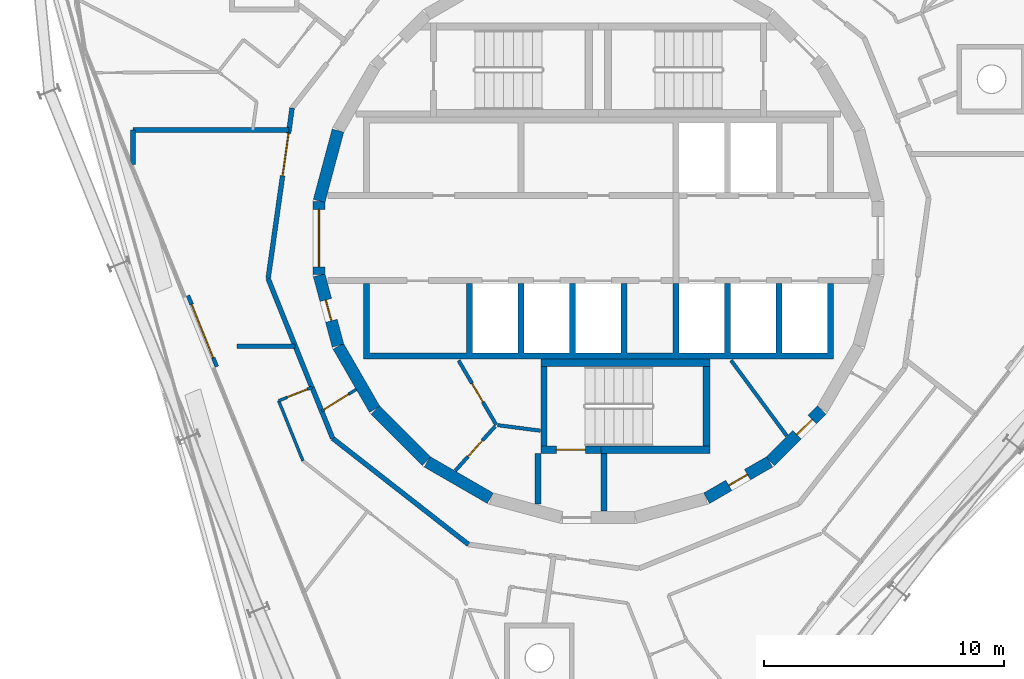
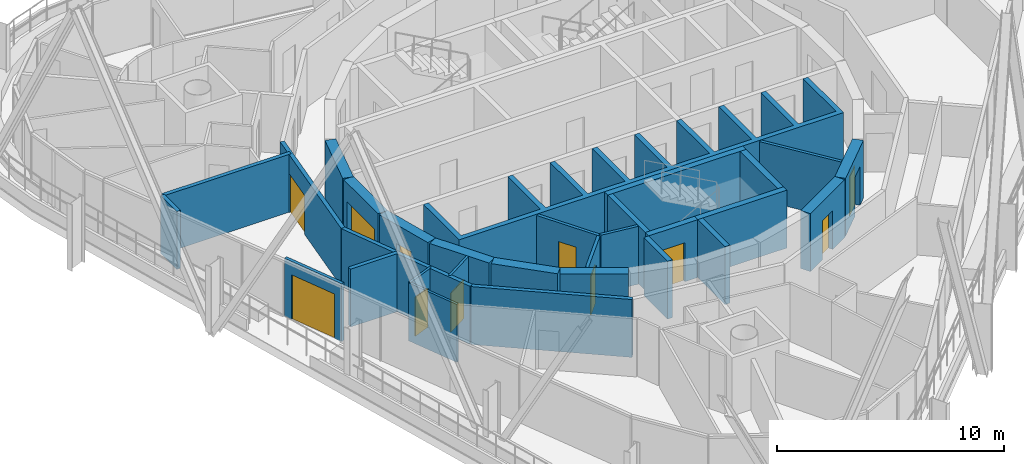
# One storey, part 10 of 17: 31 walls, 11 doors, 11 openings.
"""IFC4 building model written with IfcOpenShell, lengths in metres."""

from ifc_helpers import new_model, si_unit, direction, frame, frame_2d, origin, place, context, subcontext, project, spatial, polyline, rectangle, outline, extrude, material, layer, layer_set, type_object, element, fill, save


model = new_model("IFC4")

# Units and contexts
model_context = context("Model", 3, precision=1e-05, world=origin(), true_north=direction((0.0, 1.0)))
body_context = subcontext(model_context, "Body", "Model", "MODEL_VIEW")
ifc_project = project(units=[si_unit("LENGTHUNIT", "METRE"), si_unit("AREAUNIT", "SQUARE_METRE"), si_unit("VOLUMEUNIT", "CUBIC_METRE"), si_unit("PLANEANGLEUNIT", "RADIAN"), si_unit("MASSUNIT", "GRAM", prefix="KILO")], contexts=[model_context])

# Site, building, storey
site_placement = place(None, origin())
site = spatial("IfcSite", under=ifc_project, at=site_placement, CompositionType="ELEMENT")
building_placement = place(site_placement, origin())
building = spatial("IfcBuilding", under=site, at=building_placement, Name="Spindle Arch Residences", CompositionType="ELEMENT")
storey_placement = place(building_placement, frame((0.0, 0.0, 333.0)))
storey = spatial("IfcBuildingStorey", under=building, at=storey_placement, Name="L85", CompositionType="ELEMENT", Elevation=333.0)

# Wall, opening, door
ifc_material_1 = material(Name="Concrete C50/60", Category="concrete")
ifc_layer_1 = layer(ifc_material_1, 0.5)
ifc_layer_set_1 = layer_set([ifc_layer_1], Name="Core outline wall 500")
wall_type_1 = type_object("IfcWallType", Name="Core outline wall 500", PredefinedType="SHEAR", material=ifc_layer_set_1)
wall_1_placement = place(storey_placement, frame((4.510498046875, -10.84521484375, 0.0), z_axis=(0.0, 0.0, 1.0), x_axis=(0.865975092491, 0.500087131594, 0.0)))
wall_1 = element("IfcWall", 1, at=wall_1_placement, inside=storey, type_object=wall_type_1, Name="Core outline wall 2", PredefinedType="SHEAR", context=body_context, shape_type="SweptSolid", body=[
    extrude(rectangle(XDim=3.03271484375, YDim=0.5, at=frame_2d((1.516357421875, 0.0))), origin(), (0.0, 0.0, 1.0), 3.1201171875),
])
opening_1_placement = place(wall_1_placement, frame((1.06640625, 0.0, 0.0)))
opening_1 = element("IfcOpeningElement", 2, at=opening_1_placement, cuts=wall_1, Name="Opening R9A0-WD08", PredefinedType="OPENING", context=body_context, shape_type="SweptSolid", body=[
    extrude(rectangle(XDim=0.89990234375, YDim=2.10009765625, at=frame_2d((0.449951171875, 1.050048828125))), frame((0.0, 0.260009765625, 0.0), z_axis=(0.0, -1.0, 0.0), x_axis=(1.0, 0.0, 0.0)), (0.0, 0.0, 1.0), 0.52001953125),
])
ifc_material_2 = material(Name="Steel, fire-resisting door", Category="steel")
door_type_1 = type_object("IfcDoorType", Name="Service room door 900x2100", OperationType="SINGLE_SWING_LEFT", PredefinedType="DOOR", material=ifc_material_2)
door_1_placement = place(opening_1_placement, origin())
door_1 = element("IfcDoor", 3, at=door_1_placement, inside=storey, type_object=door_type_1, Name="Service room door R9A0-WD08", OperationType="SINGLE_SWING_RIGHT", OverallHeight=2.10009765625, OverallWidth=0.89990234375, PredefinedType="DOOR", context=body_context, shape_type="SweptSolid", body=[
    extrude(rectangle(XDim=0.89990234375, YDim=2.10009765625, at=frame_2d((0.449951171875, 1.050048828125))), frame((0.0, 0.02490234375, 0.0), z_axis=(0.0, -1.0, 0.0), x_axis=(1.0, 0.0, 0.0)), (0.0, 0.0, 1.0), 0.050048828125),
])
fill(opening_1, door_1)

wall_2_placement = place(storey_placement, frame((7.163818359375, -9.30810546875, 0.0), z_axis=(0.0, 0.0, 1.0), x_axis=(0.707106781187, 0.707106781187, 0.0)))
wall_2 = element("IfcWall", 4, at=wall_2_placement, inside=storey, type_object=wall_type_1, Name="Core outline wall 3", PredefinedType="SHEAR", context=body_context, shape_type="SweptSolid", body=[
    extrude(rectangle(XDim=3.032470703125, YDim=0.5, at=frame_2d((1.51611328125, 0.0))), origin(), (0.0, 0.0, 1.0), 3.1201171875),
])
opening_2_placement = place(wall_2_placement, frame((1.56640625, 0.0, 0.0)))
opening_2 = element("IfcOpeningElement", 5, at=opening_2_placement, cuts=wall_2, Name="Opening R9A0-WD09", PredefinedType="OPENING", context=body_context, shape_type="SweptSolid", body=[
    extrude(rectangle(XDim=0.89990234375, YDim=2.10009765625, at=frame_2d((0.449951171875, 1.050048828125))), frame((0.0, 0.260009765625, 0.0), z_axis=(0.0, -1.0, 0.0), x_axis=(1.0, 0.0, 0.0)), (0.0, 0.0, 1.0), 0.52001953125),
])
door_2_placement = place(opening_2_placement, origin())
door_2 = element("IfcDoor", 6, at=door_2_placement, inside=storey, type_object=door_type_1, Name="Service room door R9A0-WD09", OperationType="SINGLE_SWING_LEFT", OverallHeight=2.10009765625, OverallWidth=0.89990234375, PredefinedType="DOOR", context=body_context, shape_type="SweptSolid", body=[
    extrude(rectangle(XDim=0.89990234375, YDim=2.10009765625, at=frame_2d((0.449951171875, 1.050048828125))), frame((0.0, 0.02490234375, 0.0), z_axis=(0.0, -1.0, 0.0), x_axis=(1.0, 0.0, 0.0)), (0.0, 0.0, 1.0), 0.050048828125),
])
fill(opening_2, door_2)

# Wall
wall_3_placement = place(storey_placement, frame((-10.858154296875, 4.479248046875, 0.0), z_axis=(0.0, 0.0, 1.0), x_axis=(-0.258734743916, -0.965948410781, 0.0)))
element("IfcWall", 7, at=wall_3_placement, inside=storey, type_object=wall_type_1, Name="Core outline wall 17", PredefinedType="SHEAR", context=body_context, shape_type="SweptSolid", body=[
    extrude(rectangle(XDim=3.03271484375, YDim=0.5, at=frame_2d((1.516357421875, 0.0))), origin(), (0.0, 0.0, 1.0), 3.1201171875),
])

# Wall, opening, door
wall_4_placement = place(storey_placement, frame((-11.647216796875, 1.516357421875, 0.0), z_axis=(0.0, 0.0, 1.0), x_axis=(0.0, -1.0, 0.0)))
wall_4 = element("IfcWall", 8, at=wall_4_placement, inside=storey, type_object=wall_type_1, Name="Core outline wall 18", PredefinedType="SHEAR", context=body_context, shape_type="SweptSolid", body=[
    extrude(rectangle(XDim=3.03271484375, YDim=0.5, at=frame_2d((1.516357421875, 0.0))), origin(), (0.0, 0.0, 1.0), 3.1201171875),
])
opening_3_placement = place(wall_4_placement, frame((0.31640625, 0.0, 0.0)))
opening_3 = element("IfcOpeningElement", 9, at=opening_3_placement, cuts=wall_4, Name="Opening R9A0-LE01", PredefinedType="OPENING", context=body_context, shape_type="SweptSolid", body=[
    extrude(rectangle(XDim=2.39990234375, YDim=2.10009765625, at=frame_2d((1.199951171875, 1.050048828125))), frame((0.0, 0.260009765625, 0.0), z_axis=(0.0, -1.0, 0.0), x_axis=(1.0, 0.0, 0.0)), (0.0, 0.0, 1.0), 0.52001953125),
])
ifc_material_3 = material(Name="Steel, fire-resisting door", Category="steel")
door_type_2 = type_object("IfcDoorType", Name="Lift lobby entrance door 2400x2100", OperationType="DOUBLE_DOOR_SINGLE_SWING", PredefinedType="DOOR", material=ifc_material_3)
door_3_placement = place(opening_3_placement, origin())
door_3 = element("IfcDoor", 10, at=door_3_placement, inside=storey, type_object=door_type_2, Name="Lift lobby entrance door R9A0-LE01", OperationType="DOUBLE_DOOR_SINGLE_SWING", OverallHeight=2.10009765625, OverallWidth=2.39990234375, PredefinedType="DOOR", context=body_context, shape_type="SweptSolid", body=[
    extrude(rectangle(XDim=2.39990234375, YDim=2.10009765625, at=frame_2d((1.199951171875, 1.050048828125))), frame((0.0, 0.02490234375, 0.0), z_axis=(0.0, -1.0, 0.0), x_axis=(1.0, 0.0, 0.0)), (0.0, 0.0, 1.0), 0.050048828125),
])
fill(opening_3, door_3)

wall_5_placement = place(storey_placement, frame((-11.642822265625, -1.5498046875, 0.0), z_axis=(0.0, 0.0, 1.0), x_axis=(0.258734743916, -0.965948410781, 0.0)))
wall_5 = element("IfcWall", 11, at=wall_5_placement, inside=storey, type_object=wall_type_1, Name="Core outline wall 19", PredefinedType="SHEAR", context=body_context, shape_type="SweptSolid", body=[
    extrude(rectangle(XDim=3.03271484375, YDim=0.5, at=frame_2d((1.516357421875, 0.0))), origin(), (0.0, 0.0, 1.0), 3.1201171875),
])
opening_4_placement = place(wall_5_placement, frame((1.06640625, 0.0, 0.0)))
opening_4 = element("IfcOpeningElement", 12, at=opening_4_placement, cuts=wall_5, Name="Opening R9A0-WD10", PredefinedType="OPENING", context=body_context, shape_type="SweptSolid", body=[
    extrude(rectangle(XDim=0.89990234375, YDim=2.10009765625, at=frame_2d((0.449951171875, 1.050048828125))), frame((0.0, 0.260009765625, 0.0), z_axis=(0.0, -1.0, 0.0), x_axis=(1.0, 0.0, 0.0)), (0.0, 0.0, 1.0), 0.52001953125),
])
door_4_placement = place(opening_4_placement, origin())
door_4 = element("IfcDoor", 13, at=door_4_placement, inside=storey, type_object=door_type_1, Name="Service room door R9A0-WD10", OperationType="SINGLE_SWING_RIGHT", OverallHeight=2.10009765625, OverallWidth=0.89990234375, PredefinedType="DOOR", context=body_context, shape_type="SweptSolid", body=[
    extrude(rectangle(XDim=0.89990234375, YDim=2.10009765625, at=frame_2d((0.449951171875, 1.050048828125))), frame((0.0, 0.02490234375, 0.0), z_axis=(0.0, -1.0, 0.0), x_axis=(1.0, 0.0, 0.0)), (0.0, 0.0, 1.0), 0.050048828125),
])
fill(opening_4, door_4)

# Walls
wall_6_placement = place(storey_placement, frame((-10.84521484375, -4.510498046875, 0.0), z_axis=(0.0, 0.0, 1.0), x_axis=(0.500087131594, -0.865975092491, 0.0)))
element("IfcWall", 14, at=wall_6_placement, inside=storey, type_object=wall_type_1, Name="Core outline wall 20", PredefinedType="SHEAR", context=body_context, shape_type="SweptSolid", body=[
    extrude(rectangle(XDim=3.03271484375, YDim=0.5, at=frame_2d((1.516357421875, 0.0))), origin(), (0.0, 0.0, 1.0), 3.1201171875),
])
wall_7_placement = place(storey_placement, frame((-9.30810546875, -7.163818359375, 0.0), z_axis=(0.0, 0.0, 1.0), x_axis=(0.707106781187, -0.707106781187, 0.0)))
element("IfcWall", 15, at=wall_7_placement, inside=storey, type_object=wall_type_1, Name="Core outline wall 21", PredefinedType="SHEAR", context=body_context, shape_type="SweptSolid", body=[
    extrude(rectangle(XDim=3.032470703125, YDim=0.5, at=frame_2d((1.51611328125, 0.0))), origin(), (0.0, 0.0, 1.0), 3.1201171875),
])
wall_8_placement = place(storey_placement, frame((-7.13671875, -9.32861328125, 0.0), z_axis=(0.0, 0.0, 1.0), x_axis=(0.865975092491, -0.500087131594, 0.0)))
element("IfcWall", 16, at=wall_8_placement, inside=storey, type_object=wall_type_1, Name="Core outline wall 22", PredefinedType="SHEAR", context=body_context, shape_type="SweptSolid", body=[
    extrude(rectangle(XDim=3.03271484375, YDim=0.5, at=frame_2d((1.516357421875, 0.0))), origin(), (0.0, 0.0, 1.0), 3.1201171875),
])

# Wall, opening, door
ifc_material_4 = material(Name="Plasterboard on steel studs", Category="steel")
ifc_layer_2 = layer(ifc_material_4, 0.1201171875)
ifc_layer_set_2 = layer_set([ifc_layer_2], Name="Corridor division wall 120")
wall_type_2 = type_object("IfcWallType", Name="Corridor division wall 120", PredefinedType="PARTITIONING", material=ifc_layer_set_2)
wall_9_placement = place(storey_placement, frame((-11.539306640625, -7.21044921875, 0.0), z_axis=(0.0, 0.0, 1.0), x_axis=(0.848103039868, 0.529831325769, 0.0)))
wall_9 = element("IfcWall", 17, at=wall_9_placement, inside=storey, type_object=wall_type_2, Name="Corridor division wall R9A0-W003", PredefinedType="PARTITIONING", context=body_context, shape_type="SweptSolid", body=[
    extrude(rectangle(XDim=1.7021484375, YDim=0.1201171875, at=frame_2d((0.85107421875, 0.0))), origin(), (0.0, 0.0, 1.0), 3.1201171875),
])
opening_5_placement = place(wall_9_placement, frame((0.1201171875, 0.0, 0.0)))
opening_5 = element("IfcOpeningElement", 18, at=opening_5_placement, cuts=wall_9, Name="Opening R9A0-CD03", PredefinedType="OPENING", context=body_context, shape_type="SweptSolid", body=[
    extrude(rectangle(XDim=1.199951171875, YDim=2.10009765625, at=frame_2d((0.60009765625, 1.050048828125))), frame((0.0, 0.070068359375, 0.0), z_axis=(0.0, -1.0, 0.0), x_axis=(1.0, 0.0, 0.0)), (0.0, 0.0, 1.0), 0.14013671875),
])
ifc_material_5 = material(Name="Steel, fire-resisting door", Category="steel")
door_type_3 = type_object("IfcDoorType", Name="Corridor division door 1200x2100", OperationType="NOTDEFINED", PredefinedType="DOOR", material=ifc_material_5)
door_5_placement = place(opening_5_placement, origin())
door_5 = element("IfcDoor", 19, at=door_5_placement, inside=storey, type_object=door_type_3, Name="Corridor division door R9A0-CD03", OperationType="DOUBLE_DOOR_SINGLE_SWING", OverallHeight=2.10009765625, OverallWidth=1.199951171875, PredefinedType="DOOR", context=body_context, shape_type="SweptSolid", body=[
    extrude(rectangle(XDim=1.199951171875, YDim=2.10009765625, at=frame_2d((0.60009765625, 1.050048828125))), frame((0.0, 0.02490234375, 0.0), z_axis=(0.0, -1.0, 0.0), x_axis=(1.0, 0.0, 0.0)), (0.0, 0.0, 1.0), 0.050048828125),
])
fill(opening_5, door_5)

# Walls
ifc_material_6 = material(Name="Calcium silicate block, plastered")
ifc_layer_3 = layer(ifc_material_6, 0.199951171875)
ifc_layer_set_3 = layer_set([ifc_layer_3], Name="Corridor wall 200")
wall_type_3 = type_object("IfcWallType", Name="Corridor wall 200", PredefinedType="STANDARD", material=ifc_layer_set_3)
wall_10_placement = place(storey_placement, frame((-11.939453125, -6.2197265625, 0.0), z_axis=(0.0, 0.0, 1.0), x_axis=(0.374651128394, -0.927165860024, 0.0)))
element("IfcWall", 20, at=wall_10_placement, inside=storey, type_object=wall_type_3, Name="Corridor wall R9A0-W013", PredefinedType="STANDARD", context=body_context, shape_type="SweptSolid", body=[
    extrude(rectangle(XDim=2.29638671875, YDim=0.199951171875, at=frame_2d((1.148193359375, 0.0))), origin(), (0.0, 0.0, 1.0), 3.1201171875),
])
wall_11_placement = place(storey_placement, frame((-11.0791015625, -8.348876953125, 0.0), z_axis=(0.0, 0.0, 1.0), x_axis=(0.78800478687, -0.615669112324, 0.0)))
element("IfcWall", 21, at=wall_11_placement, inside=storey, type_object=wall_type_3, Name="Corridor wall R9A0-W014", PredefinedType="STANDARD", context=body_context, shape_type="SweptSolid", body=[
    extrude(rectangle(XDim=7.18115234375, YDim=0.199951171875, at=frame_2d((3.590576171875, 0.0))), origin(), (0.0, 0.0, 1.0), 3.1201171875),
])

# Wall, opening, door
ifc_material_7 = material(Name="Plasterboard on steel studs", Category="steel")
ifc_layer_4 = layer(ifc_material_7, 0.1201171875)
ifc_layer_set_4 = layer_set([ifc_layer_4], Name="Flat partition 120")
wall_type_4 = type_object("IfcWallType", Name="Flat partition 120", PredefinedType="PARTITIONING", material=ifc_layer_set_4)
wall_12_placement = place(storey_placement, frame((-11.953369140625, -6.225341796875, 0.0), z_axis=(0.0, 0.0, 1.0), x_axis=(-0.927144096717, -0.374704982518, 0.0)))
wall_12 = element("IfcWall", 22, at=wall_12_placement, inside=storey, type_object=wall_type_4, Name="Flat partition R9A0-W072", PredefinedType="PARTITIONING", context=body_context, shape_type="SweptSolid", body=[
    extrude(rectangle(XDim=1.48486328125, YDim=0.1201171875, at=frame_2d((0.742431640625, 0.0))), origin(), (0.0, 0.0, 1.0), 3.1201171875),
])
opening_6_placement = place(wall_12_placement, frame((0.199951171875, 0.0, 0.0)))
opening_6 = element("IfcOpeningElement", 23, at=opening_6_placement, cuts=wall_12, Name="Opening R9A0-ID15", PredefinedType="OPENING", context=body_context, shape_type="SweptSolid", body=[
    extrude(rectangle(XDim=0.89990234375, YDim=2.10009765625, at=frame_2d((0.449951171875, 1.050048828125))), frame((0.0, 0.070068359375, 0.0), z_axis=(0.0, -1.0, 0.0), x_axis=(1.0, 0.0, 0.0)), (0.0, 0.0, 1.0), 0.14013671875),
])
ifc_material_8 = material(Name="Timber door set", Category="wood")
door_type_4 = type_object("IfcDoorType", Name="Room door 900x2100", OperationType="NOTDEFINED", PredefinedType="DOOR", material=ifc_material_8)
door_6_placement = place(opening_6_placement, origin())
door_6 = element("IfcDoor", 24, at=door_6_placement, inside=storey, type_object=door_type_4, Name="Room door R9A0-ID15", OperationType="SINGLE_SWING_LEFT", OverallHeight=2.10009765625, OverallWidth=0.89990234375, PredefinedType="DOOR", context=body_context, shape_type="SweptSolid", body=[
    extrude(rectangle(XDim=0.89990234375, YDim=2.10009765625, at=frame_2d((0.449951171875, 1.050048828125))), frame((0.0, 0.02490234375, 0.0), z_axis=(0.0, -1.0, 0.0), x_axis=(1.0, 0.0, 0.0)), (0.0, 0.0, 1.0), 0.050048828125),
])
fill(opening_6, door_6)

# Wall
wall_13_placement = place(storey_placement, frame((-13.330078125, -6.78173828125, 0.0), z_axis=(0.0, 0.0, 1.0), x_axis=(0.374602180132, -0.927185637637, 0.0)))
element("IfcWall", 25, at=wall_13_placement, inside=storey, type_object=wall_type_4, Name="Flat partition R9A0-W073", PredefinedType="PARTITIONING", context=body_context, shape_type="SweptSolid", body=[
    extrude(rectangle(XDim=2.6982421875, YDim=0.1201171875, at=frame_2d((1.34912109375, 0.0))), origin(), (0.0, 0.0, 1.0), 3.1201171875),
])

# Wall, opening, door
ifc_material_9 = material(Name="Non-combustible mineral wool insulated aluminium faced external wall (K0)", Category="aluminium")
ifc_layer_5 = layer(ifc_material_9, 0.159912109375)
ifc_layer_set_5 = layer_set([ifc_layer_5], Name="Insulated external wall panel 160")
wall_type_5 = type_object("IfcWallType", Name="Insulated external wall panel 160", PredefinedType="STANDARD", material=ifc_layer_set_5)
wall_14_placement = place(storey_placement, frame((-17.107177734375, -2.394287109375, 0.0), z_axis=(0.0, 0.0, 1.0), x_axis=(0.374598019739, -0.927187318511, 0.0)))
wall_14 = element("IfcWall", 26, at=wall_14_placement, inside=storey, type_object=wall_type_5, Name="External wall L85 bay 13", PredefinedType="STANDARD", context=body_context, shape_type="SweptSolid", body=[
    extrude(rectangle(XDim=3.199951171875, YDim=0.159912109375, at=frame_2d((1.60009765625, 0.0))), origin(), (0.0, 0.0, 1.0), 3.1201171875),
])
opening_7_placement = place(wall_14_placement, frame((0.39990234375, 0.0, 0.0)))
opening_7 = element("IfcOpeningElement", 27, at=opening_7_placement, cuts=wall_14, Name="Opening BD13", PredefinedType="OPENING", context=body_context, shape_type="SweptSolid", body=[
    extrude(rectangle(XDim=2.39990234375, YDim=2.39990234375, at=frame_2d((1.199951171875, 1.199951171875))), frame((0.0, 0.08984375, 0.0), z_axis=(0.0, -1.0, 0.0), x_axis=(1.0, 0.0, 0.0)), (0.0, 0.0, 1.0), 0.179931640625),
])
ifc_material_10 = material(Name="Bronze aluminium frame, tinted double glazing", Category="aluminium")
door_type_5 = type_object("IfcDoorType", Name="Sliding glazed balcony door 2400x2400", OperationType="DOUBLE_DOOR_SLIDING", PredefinedType="DOOR", material=ifc_material_10)
door_7_placement = place(opening_7_placement, origin())
door_7 = element("IfcDoor", 28, at=door_7_placement, inside=storey, type_object=door_type_5, Name="Balcony door BD13", OperationType="DOUBLE_DOOR_SLIDING", OverallHeight=2.39990234375, OverallWidth=2.39990234375, PredefinedType="DOOR", context=body_context, shape_type="SweptSolid", body=[
    extrude(rectangle(XDim=2.39990234375, YDim=2.39990234375, at=frame_2d((1.199951171875, 1.199951171875))), frame((0.0, 0.02490234375, 0.0), z_axis=(0.0, -1.0, 0.0), x_axis=(1.0, 0.0, 0.0)), (0.0, 0.0, 1.0), 0.050048828125),
])
fill(opening_7, door_7)

ifc_material_11 = material(Name="Calcium silicate block, plastered")
ifc_layer_6 = layer(ifc_material_11, 0.199951171875)
ifc_layer_set_6 = layer_set([ifc_layer_6], Name="Lift lobby bay wall 200")
wall_type_6 = type_object("IfcWallType", Name="Lift lobby bay wall 200", PredefinedType="STANDARD", material=ifc_layer_set_6)
wall_15_placement = place(storey_placement, frame((-12.77001953125, 5.42041015625, 0.0), z_axis=(0.0, 0.0, 1.0), x_axis=(-0.139155334385, -0.990270565508, 0.0)))
wall_15 = element("IfcWall", 29, at=wall_15_placement, inside=storey, type_object=wall_type_6, Name="Lift lobby bay wall R9A0-W009", PredefinedType="STANDARD", context=body_context, shape_type="SweptSolid", body=[
    extrude(rectangle(XDim=7.180908203125, YDim=0.199951171875, at=frame_2d((3.59033203125, 0.0))), origin(), (0.0, 0.0, 1.0), 3.1201171875),
])
opening_8_placement = place(wall_15_placement, frame((1.0546875, 0.0, 0.0)))
opening_8 = element("IfcOpeningElement", 30, at=opening_8_placement, cuts=wall_15, Name="Opening R9A0-LB01", PredefinedType="OPENING", context=body_context, shape_type="SweptSolid", body=[
    extrude(rectangle(XDim=1.800048828125, YDim=2.10009765625, at=frame_2d((0.89990234375, 1.050048828125))), frame((0.0, 0.10986328125, 0.0), z_axis=(0.0, -1.0, 0.0), x_axis=(1.0, 0.0, 0.0)), (0.0, 0.0, 1.0), 0.219970703125),
])
ifc_material_12 = material(Name="Steel, fire-resisting door", Category="steel")
door_type_6 = type_object("IfcDoorType", Name="Lift lobby bay door 1800x2100", OperationType="NOTDEFINED", PredefinedType="DOOR", material=ifc_material_12)
door_8_placement = place(opening_8_placement, origin())
door_8 = element("IfcDoor", 31, at=door_8_placement, inside=storey, type_object=door_type_6, Name="Lift lobby bay door R9A0-LB01", OperationType="DOUBLE_DOOR_SINGLE_SWING", OverallHeight=2.10009765625, OverallWidth=1.800048828125, PredefinedType="DOOR", context=body_context, shape_type="SweptSolid", body=[
    extrude(rectangle(XDim=1.800048828125, YDim=2.10009765625, at=frame_2d((0.89990234375, 1.050048828125))), frame((0.0, 0.02490234375, 0.0), z_axis=(0.0, -1.0, 0.0), x_axis=(1.0, 0.0, 0.0)), (0.0, 0.0, 1.0), 0.050048828125),
])
fill(opening_8, door_8)

# Walls
wall_16_placement = place(storey_placement, frame((-13.769287109375, -1.690673828125, 0.0), z_axis=(0.0, 0.0, 1.0), x_axis=(0.372720094028, -0.927943819155, 0.0)))
element("IfcWall", 32, at=wall_16_placement, inside=storey, type_object=wall_type_6, Name="Lift lobby bay wall R9A0-W010", PredefinedType="STANDARD", context=body_context, shape_type="SweptSolid", body=[
    extrude(rectangle(XDim=4.874755859375, YDim=0.199951171875, at=frame_2d((2.4375, 0.0))), origin(), (0.0, 0.0, 1.0), 3.1201171875),
])
wall_17_placement = place(storey_placement, frame((-12.8994140625, 4.5, 0.0), z_axis=(0.0, 0.0, 1.0), x_axis=(-1.0, 0.0, 0.0)))
element("IfcWall", 33, at=wall_17_placement, inside=storey, type_object=wall_type_6, Name="Lift lobby bay wall R9A0-W017", PredefinedType="STANDARD", context=body_context, shape_type="SweptSolid", body=[
    extrude(rectangle(XDim=6.50048828125, YDim=0.199951171875, at=frame_2d((3.250244140625, 0.0))), origin(), (0.0, 0.0, 1.0), 3.1201171875),
])
wall_18_placement = place(storey_placement, frame((-19.39990234375, 4.5, 0.0), z_axis=(0.0, 0.0, 1.0), x_axis=(0.0, -1.0, 0.0)))
element("IfcWall", 34, at=wall_18_placement, inside=storey, type_object=wall_type_6, Name="Lift lobby bay wall R9A0-W018", PredefinedType="STANDARD", context=body_context, shape_type="SweptSolid", body=[
    extrude(rectangle(XDim=1.432861328125, YDim=0.199951171875, at=frame_2d((0.71630859375, 0.0))), origin(), (0.0, 0.0, 1.0), 3.1201171875),
])
wall_19_placement = place(storey_placement, frame((-15.07373046875, -4.510009765625, 0.0), z_axis=(0.0, 0.0, 1.0), x_axis=(1.0, 0.0, 0.0)))
element("IfcWall", 35, at=wall_19_placement, inside=storey, type_object=wall_type_6, Name="Lift lobby bay wall R9A0-W019", PredefinedType="STANDARD", context=body_context, shape_type="SweptSolid", body=[
    extrude(rectangle(XDim=2.4326171875, YDim=0.199951171875, at=frame_2d((1.21630859375, 0.0))), origin(), (0.0, 0.0, 1.0), 3.1201171875),
])
ifc_material_13 = material(Name="Concrete C50/60", Category="concrete")
wall_type_7 = type_object("IfcWallType", Name="Lift shaft wall profile", PredefinedType="SHEAR", material=ifc_material_13)
wall_20_placement = place(storey_placement, origin())
element("IfcWall", 36, at=wall_20_placement, inside=storey, type_object=wall_type_7, Name="Lift shaft walls S", PredefinedType="SHEAR", context=body_context, shape_type="SweptSolid", body=[
    extrude(outline(polyline([(9.800048828125, -5.050048828125), (9.800048828125, -4.800048828125), (9.800048828125, -1.89990234375), (9.550048828125, -1.89990234375), (9.550048828125, -4.800048828125), (7.64990234375, -4.800048828125), (7.64990234375, -1.89990234375), (7.39990234375, -1.89990234375), (7.39990234375, -4.800048828125), (5.5, -4.800048828125), (5.5, -1.89990234375), (5.25, -1.89990234375), (5.25, -4.800048828125), (3.35009765625, -4.800048828125), (3.35009765625, -1.89990234375), (3.10009765625, -1.89990234375), (3.10009765625, -4.800048828125), (1.199951171875, -4.800048828125), (1.199951171875, -1.89990234375), (0.949951171875, -1.89990234375), (0.949951171875, -4.800048828125), (-0.949951171875, -4.800048828125), (-0.949951171875, -1.89990234375), (-1.199951171875, -1.89990234375), (-1.199951171875, -4.800048828125), (-3.10009765625, -4.800048828125), (-3.10009765625, -1.89990234375), (-3.35009765625, -1.89990234375), (-3.35009765625, -4.800048828125), (-5.25, -4.800048828125), (-5.25, -1.89990234375), (-5.5, -1.89990234375), (-5.5, -4.800048828125), (-9.550048828125, -4.800048828125), (-9.550048828125, -1.89990234375), (-9.800048828125, -1.89990234375), (-9.800048828125, -4.800048828125), (-9.800048828125, -5.050048828125), (9.800048828125, -5.050048828125)])), origin(), (0.0, 0.0, 1.0), 3.1201171875),
])
ifc_material_14 = material(Name="Concrete C25/30", Category="concrete")
ifc_layer_7 = layer(ifc_material_14, 0.14990234375)
ifc_layer_set_7 = layer_set([ifc_layer_7], Name="Service room partition 150")
wall_type_8 = type_object("IfcWallType", Name="Service room partition 150", PredefinedType="PARTITIONING", material=ifc_layer_set_7)
wall_21_placement = place(storey_placement, frame((5.528076171875, -5.098388671875, 0.0), z_axis=(0.0, 0.0, 1.0), x_axis=(0.594034318069, -0.804439698769, 0.0)))
element("IfcWall", 37, at=wall_21_placement, inside=storey, type_object=wall_type_8, Name="Core service room partition", PredefinedType="PARTITIONING", context=body_context, shape_type="SweptSolid", body=[
    extrude(rectangle(XDim=3.90673828125, YDim=0.14990234375, at=frame_2d((1.953369140625, 0.0))), origin(), (0.0, 0.0, 1.0), 3.1201171875),
])

# Wall, opening, door
wall_22_placement = place(storey_placement, frame((-5.8291015625, -5.101806640625, 0.0), z_axis=(0.0, 0.0, 1.0), x_axis=(0.504480008384, -0.863423373057, 0.0)))
wall_22 = element("IfcWall", 38, at=wall_22_placement, inside=storey, type_object=wall_type_8, Name="Core service room partition", PredefinedType="PARTITIONING", context=body_context, shape_type="SweptSolid", body=[
    extrude(rectangle(XDim=3.115234375, YDim=0.14990234375, at=frame_2d((1.5576171875, 0.0))), origin(), (0.0, 0.0, 1.0), 3.1201171875),
])
opening_9_placement = place(wall_22_placement, frame((1.107421875, 0.0, 0.0)))
opening_9 = element("IfcOpeningElement", 39, at=opening_9_placement, cuts=wall_22, Name="Opening R9A0-WD07", PredefinedType="OPENING", context=body_context, shape_type="SweptSolid", body=[
    extrude(rectangle(XDim=0.89990234375, YDim=2.10009765625, at=frame_2d((0.449951171875, 1.050048828125))), frame((0.0, 0.0849609375, 0.0), z_axis=(0.0, -1.0, 0.0), x_axis=(1.0, 0.0, 0.0)), (0.0, 0.0, 1.0), 0.169921875),
])
door_9_placement = place(opening_9_placement, origin())
door_9 = element("IfcDoor", 40, at=door_9_placement, inside=storey, type_object=door_type_1, Name="Service room door R9A0-WD07", OperationType="SINGLE_SWING_LEFT", OverallHeight=2.10009765625, OverallWidth=0.89990234375, PredefinedType="DOOR", context=body_context, shape_type="SweptSolid", body=[
    extrude(rectangle(XDim=0.89990234375, YDim=2.10009765625, at=frame_2d((0.449951171875, 1.050048828125))), frame((0.0, 0.02490234375, 0.0), z_axis=(0.0, -1.0, 0.0), x_axis=(1.0, 0.0, 0.0)), (0.0, 0.0, 1.0), 0.050048828125),
])
fill(opening_9, door_9)

wall_23_placement = place(storey_placement, frame((-4.310791015625, -7.85107421875, 0.0), z_axis=(0.0, 0.0, 1.0), x_axis=(-0.667869133096, -0.744278725383, 0.0)))
wall_23 = element("IfcWall", 41, at=wall_23_placement, inside=storey, type_object=wall_type_8, Name="Core service room partition", PredefinedType="PARTITIONING", context=body_context, shape_type="SweptSolid", body=[
    extrude(rectangle(XDim=2.476318359375, YDim=0.14990234375, at=frame_2d((1.23828125, 0.0))), origin(), (0.0, 0.0, 1.0), 3.1201171875),
])
opening_10_placement = place(wall_23_placement, frame((0.7880859375, 0.0, 0.0)))
opening_10 = element("IfcOpeningElement", 42, at=opening_10_placement, cuts=wall_23, Name="Opening R9A0-WD06", PredefinedType="OPENING", context=body_context, shape_type="SweptSolid", body=[
    extrude(rectangle(XDim=0.89990234375, YDim=2.10009765625, at=frame_2d((0.449951171875, 1.050048828125))), frame((0.0, 0.0849609375, 0.0), z_axis=(0.0, -1.0, 0.0), x_axis=(1.0, 0.0, 0.0)), (0.0, 0.0, 1.0), 0.169921875),
])
door_10_placement = place(opening_10_placement, origin())
door_10 = element("IfcDoor", 43, at=door_10_placement, inside=storey, type_object=door_type_1, Name="Service room door R9A0-WD06", OperationType="SINGLE_SWING_RIGHT", OverallHeight=2.10009765625, OverallWidth=0.89990234375, PredefinedType="DOOR", context=body_context, shape_type="SweptSolid", body=[
    extrude(rectangle(XDim=0.89990234375, YDim=2.10009765625, at=frame_2d((0.449951171875, 1.050048828125))), frame((0.0, 0.02490234375, 0.0), z_axis=(0.0, -1.0, 0.0), x_axis=(1.0, 0.0, 0.0)), (0.0, 0.0, 1.0), 0.050048828125),
])
fill(opening_10, door_10)

# Walls
wall_24_placement = place(storey_placement, frame((-4.197998046875, -7.79931640625, 0.0), z_axis=(0.0, 0.0, 1.0), x_axis=(0.991686747293, -0.128675542523, 0.0)))
element("IfcWall", 44, at=wall_24_placement, inside=storey, type_object=wall_type_8, Name="Core service room partition", PredefinedType="PARTITIONING", context=body_context, shape_type="SweptSolid", body=[
    extrude(rectangle(XDim=1.79296875, YDim=0.14990234375, at=frame_2d((0.896484375, 0.0))), origin(), (0.0, 0.0, 1.0), 3.1201171875),
])
ifc_material_15 = material(Name="Concrete C40/50", Category="concrete")
ifc_layer_8 = layer(ifc_material_15, 0.25)
ifc_layer_set_8 = layer_set([ifc_layer_8], Name="Stair airlock wall 250")
wall_type_9 = type_object("IfcWallType", Name="Stair airlock wall 250", PredefinedType="SHEAR", material=ifc_layer_set_8)
wall_25_placement = place(storey_placement, frame((-2.52490234375, -8.969970703125, 0.0), z_axis=(0.0, 0.0, 1.0), x_axis=(0.0, -1.0, 0.0)))
element("IfcWall", 45, at=wall_25_placement, inside=storey, type_object=wall_type_9, Name="Stair ST-3 airlock wall W", PredefinedType="SHEAR", context=body_context, shape_type="SweptSolid", body=[
    extrude(rectangle(XDim=2.110107421875, YDim=0.25, at=frame_2d((1.05517578125, 0.0))), origin(), (0.0, 0.0, 1.0), 3.1201171875),
])
wall_26_placement = place(storey_placement, frame((0.22509765625, -8.969970703125, 0.0), z_axis=(0.0, 0.0, 1.0), x_axis=(0.0, -1.0, 0.0)))
element("IfcWall", 46, at=wall_26_placement, inside=storey, type_object=wall_type_9, Name="Stair ST-3 airlock wall E", PredefinedType="SHEAR", context=body_context, shape_type="SweptSolid", body=[
    extrude(rectangle(XDim=2.409912109375, YDim=0.25, at=frame_2d((1.205078125, 0.0))), origin(), (0.0, 0.0, 1.0), 3.1201171875),
])
ifc_material_16 = material(Name="Concrete C50/60", Category="concrete")
ifc_layer_9 = layer(ifc_material_16, 0.25)
ifc_layer_set_9 = layer_set([ifc_layer_9], Name="Stair enclosure wall 250")
wall_type_10 = type_object("IfcWallType", Name="Stair enclosure wall 250", PredefinedType="SHEAR", material=ifc_layer_set_9)
wall_27_placement = place(storey_placement, frame((-2.27490234375, -8.669921875, 0.0), z_axis=(0.0, 0.0, 1.0), x_axis=(0.0, 1.0, 0.0)))
element("IfcWall", 47, at=wall_27_placement, inside=storey, type_object=wall_type_10, Name="Stair ST-3 enclosure wall W", PredefinedType="SHEAR", context=body_context, shape_type="SweptSolid", body=[
    extrude(rectangle(XDim=3.31982421875, YDim=0.25, at=frame_2d((1.659912109375, 0.0))), origin(), (0.0, 0.0, 1.0), 3.1201171875),
])
ifc_material_17 = material(Name="Concrete C50/60", Category="concrete")
ifc_layer_10 = layer(ifc_material_17, 0.300048828125)
ifc_layer_set_10 = layer_set([ifc_layer_10], Name="Stair enclosure wall 300")
wall_type_11 = type_object("IfcWallType", Name="Stair enclosure wall 300", PredefinedType="SHEAR", material=ifc_layer_set_10)
wall_28_placement = place(storey_placement, frame((-2.39990234375, -5.199951171875, 0.0), z_axis=(0.0, 0.0, 1.0), x_axis=(1.0, 0.0, 0.0)))
element("IfcWall", 48, at=wall_28_placement, inside=storey, type_object=wall_type_11, Name="Stair ST-3 enclosure wall N", PredefinedType="SHEAR", context=body_context, shape_type="SweptSolid", body=[
    extrude(rectangle(XDim=7.0498046875, YDim=0.300048828125, at=frame_2d((3.52490234375, 0.0))), origin(), (0.0, 0.0, 1.0), 3.1201171875),
])
wall_29_placement = place(storey_placement, frame((4.5, -8.669921875, 0.0), z_axis=(0.0, 0.0, 1.0), x_axis=(0.0, 1.0, 0.0)))
element("IfcWall", 49, at=wall_29_placement, inside=storey, type_object=wall_type_11, Name="Stair ST-3 enclosure wall E", PredefinedType="SHEAR", context=body_context, shape_type="SweptSolid", body=[
    extrude(rectangle(XDim=3.31982421875, YDim=0.300048828125, at=frame_2d((1.659912109375, 0.0))), origin(), (0.0, 0.0, 1.0), 3.1201171875),
])
wall_30_placement = place(storey_placement, frame((0.10009765625, -8.820068359375, 0.0), z_axis=(0.0, 0.0, 1.0), x_axis=(1.0, 0.0, 0.0)))
element("IfcWall", 50, at=wall_30_placement, inside=storey, type_object=wall_type_11, Name="Stair ST-3 enclosure wall S", PredefinedType="SHEAR", context=body_context, shape_type="SweptSolid", body=[
    extrude(rectangle(XDim=4.5498046875, YDim=0.300048828125, at=frame_2d((2.27490234375, 0.0))), origin(), (0.0, 0.0, 1.0), 3.1201171875),
])

# Wall, opening, door
wall_31_placement = place(storey_placement, frame((-2.39990234375, -8.820068359375, 0.0), z_axis=(0.0, 0.0, 1.0), x_axis=(1.0, 0.0, 0.0)))
wall_31 = element("IfcWall", 51, at=wall_31_placement, inside=storey, type_object=wall_type_11, Name="Stair ST-3 door wall", PredefinedType="SHEAR", context=body_context, shape_type="SweptSolid", body=[
    extrude(rectangle(XDim=2.5, YDim=0.300048828125, at=frame_2d((1.25, 0.0))), origin(), (0.0, 0.0, 1.0), 3.1201171875),
])
opening_11_placement = place(wall_31_placement, frame((0.64990234375, 0.0, 0.0)))
opening_11 = element("IfcOpeningElement", 52, at=opening_11_placement, cuts=wall_31, Name="Opening R9A0-SD03", PredefinedType="OPENING", context=body_context, shape_type="SweptSolid", body=[
    extrude(rectangle(XDim=1.199951171875, YDim=2.10009765625, at=frame_2d((0.60009765625, 1.050048828125))), frame((0.0, 0.16015625, 0.0), z_axis=(0.0, -1.0, 0.0), x_axis=(1.0, 0.0, 0.0)), (0.0, 0.0, 1.0), 0.320068359375),
])
ifc_material_18 = material(Name="Steel, fire-resisting door", Category="steel")
door_type_7 = type_object("IfcDoorType", Name="Stair door 1200x2100", OperationType="SINGLE_SWING_RIGHT", PredefinedType="DOOR", material=ifc_material_18)
door_11_placement = place(opening_11_placement, origin())
door_11 = element("IfcDoor", 53, at=door_11_placement, inside=storey, type_object=door_type_7, Name="Stair door R9A0-SD03", OperationType="SINGLE_SWING_LEFT", OverallHeight=2.10009765625, OverallWidth=1.199951171875, PredefinedType="DOOR", context=body_context, shape_type="SweptSolid", body=[
    extrude(rectangle(XDim=1.199951171875, YDim=2.10009765625, at=frame_2d((0.60009765625, 1.050048828125))), frame((0.0, 0.02490234375, 0.0), z_axis=(0.0, -1.0, 0.0), x_axis=(1.0, 0.0, 0.0)), (0.0, 0.0, 1.0), 0.050048828125),
])
fill(opening_11, door_11)

save(model, "model.ifc")
